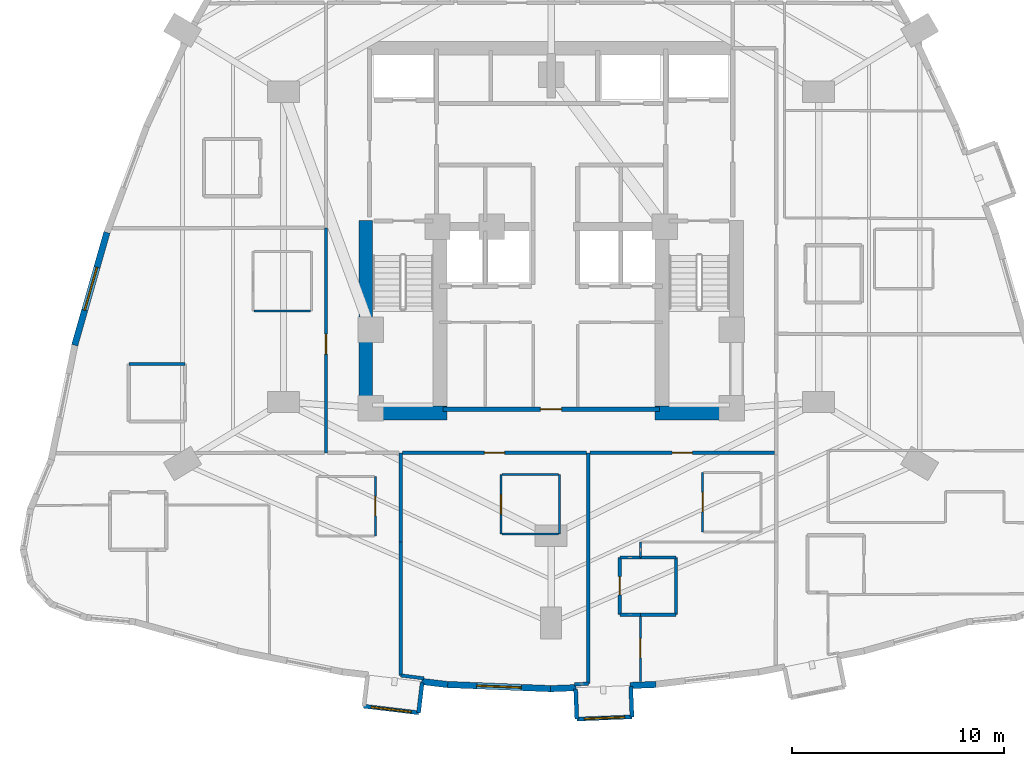
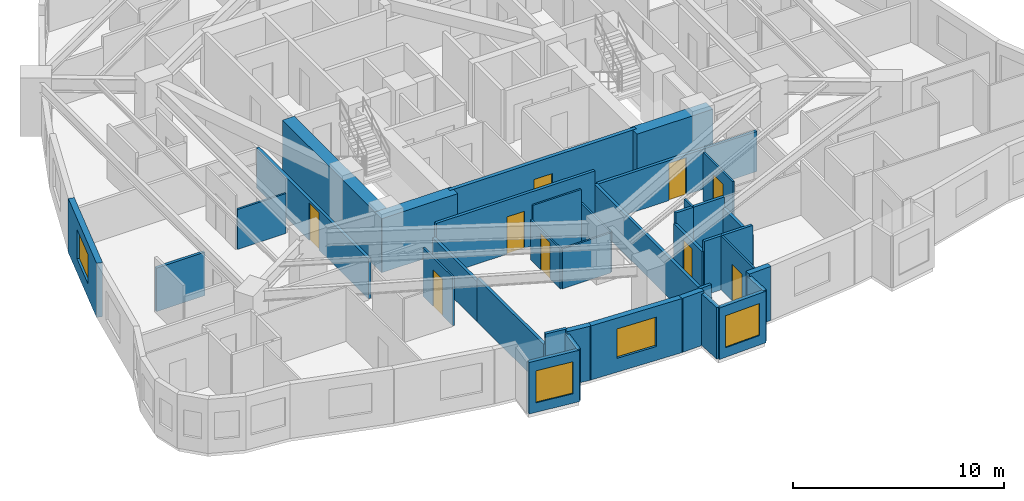
# One storey, part 9 of 16: 38 walls, 9 doors, 4 windows, 13 openings.
"""IFC4 building model written with IfcOpenShell, lengths in metres."""

from ifc_helpers import new_model, si_unit, direction, frame, frame_2d, origin, place, context, subcontext, project, spatial, rectangle, extrude, material, layer, layer_set, type_object, element, fill, save


model = new_model("IFC4")

# Units and contexts
model_context = context("Model", 3, precision=1e-05, world=origin(), true_north=direction((0.0, 1.0)))
body_context = subcontext(model_context, "Body", "Model", "MODEL_VIEW")
ifc_project = project(units=[si_unit("LENGTHUNIT", "METRE"), si_unit("AREAUNIT", "SQUARE_METRE"), si_unit("VOLUMEUNIT", "CUBIC_METRE"), si_unit("PLANEANGLEUNIT", "RADIAN"), si_unit("MASSUNIT", "GRAM", prefix="KILO")], contexts=[model_context])

# Site, building, storey
site_placement = place(None, origin())
site = spatial("IfcSite", under=ifc_project, at=site_placement, CompositionType="ELEMENT")
building_placement = place(site_placement, origin())
building = spatial("IfcBuilding", under=site, at=building_placement, Name="Miruveldt Soraemaru", CompositionType="ELEMENT")
storey_placement = place(building_placement, frame((0.0, 0.0, 42.800048828125)))
storey = spatial("IfcBuildingStorey", under=building, at=storey_placement, Name="L11", CompositionType="ELEMENT", Elevation=42.800048828125)

# Wall
ifc_material_1 = material(Name="White powder-coated aluminium EN AW-6060 T6", Category="aluminium")
ifc_layer_1 = layer(ifc_material_1, 0.18994140625, Name="White powder-coated aluminium EN AW-6060 T6", Category="aluminium")
ifc_layer_set_1 = layer_set([ifc_layer_1], Name="White powder-coated aluminium EN AW-6060 T6")
wall_type_1 = type_object("IfcWallType", Name="WALL-BAY-ALU190", PredefinedType="SOLIDWALL", material=ifc_layer_set_1)
wall_1_placement = place(storey_placement, frame((37.7587890625, 21.15869140625, 0.0), z_axis=(0.0, 0.0, 1.0), x_axis=(0.119226278009, 0.992867108244, 0.0)))
element("IfcWall", 1, at=wall_1_placement, inside=storey, type_object=wall_type_1, Name="L11 Bay Window Side Cheek 1R", PredefinedType="SOLIDWALL", context=body_context, shape_type="SweptSolid", body=[
    extrude(rectangle(XDim=1.42529296875, YDim=0.18994140625, at=frame_2d((0.712646484375, 0.0))), origin(), (0.0, 0.0, 1.0), 2.974853515625),
])

# Wall, opening, window
wall_2_placement = place(storey_placement, frame((35.177490234375, 21.46875, 0.0), z_axis=(0.0, 0.0, 1.0), x_axis=(0.992863057067, -0.119260009692, 0.0)))
wall_2 = element("IfcWall", 2, at=wall_2_placement, inside=storey, type_object=wall_type_1, Name="L11 Bay Window Front Frame 1", PredefinedType="SOLIDWALL", context=body_context, shape_type="SweptSolid", body=[
    extrude(rectangle(XDim=2.599853515625, YDim=0.18994140625, at=frame_2d((1.2998046875, 0.0))), origin(), (0.0, 0.0, 1.0), 2.974853515625),
])
opening_1_placement = place(wall_2_placement, frame((0.35009765625, 0.0, 0.550048828125)))
opening_1 = element("IfcOpeningElement", 3, at=opening_1_placement, cuts=wall_2, Name="Opening WN-6", PredefinedType="OPENING", context=body_context, shape_type="SweptSolid", body=[
    extrude(rectangle(XDim=1.89990234375, YDim=1.85009765625, at=frame_2d((0.949951171875, 0.925048828125))), frame((0.0, 0.10498046875, 0.0), z_axis=(0.0, -1.0, 0.0), x_axis=(1.0, 0.0, 0.0)), (0.0, 0.0, 1.0), 0.2099609375),
])
ifc_material_2 = material(Name="Triple low-e insulated glazing", Category="glass")
window_type_1 = type_object("IfcWindowType", Name="WIN-BAYW-1900x1850", PartitioningType="SINGLE_PANEL", PredefinedType="WINDOW", material=ifc_material_2)
window_1_placement = place(opening_1_placement, origin())
window_1 = element("IfcWindow", 4, at=window_1_placement, inside=storey, type_object=window_type_1, Name="L11 Projecting Bay Window 1", OverallHeight=1.85009765625, OverallWidth=1.89990234375, PartitioningType="SINGLE_PANEL", PredefinedType="WINDOW", context=body_context, shape_type="SweptSolid", body=[
    extrude(rectangle(XDim=1.89990234375, YDim=1.85009765625, at=frame_2d((0.949951171875, 0.925048828125))), frame((0.0, 0.030029296875, 0.0), z_axis=(0.0, -1.0, 0.0), x_axis=(1.0, 0.0, 0.0)), (0.0, 0.0, 1.0), 0.06005859375),
])
fill(opening_1, window_1)

# Walls
for number, where, z_axis, x_axis, name in (
    (5, (45.155029296875, 22.283935546875, 0.0), (0.0, 0.0, 1.0), (0.039920142234, -0.999202873417, 0.0), "L11 Bay Window Side Cheek 2L"),
    (6, (47.809814453125, 20.964111328125, 0.0), (0.0, 0.0, 1.0), (-0.039920142234, 0.999202873417, 0.0), "L11 Bay Window Side Cheek 2R"),
):
    element("IfcWall", number, at=place(storey_placement, frame(where, z_axis=z_axis, x_axis=x_axis)), inside=storey, type_object=wall_type_1, Name=name, PredefinedType="SOLIDWALL", context=body_context, shape_type="SweptSolid", body=[
        extrude(rectangle(XDim=1.425048828125, YDim=0.18994140625, at=frame_2d((0.71240234375, 0.0))), origin(), (0.0, 0.0, 1.0), 2.974853515625),
    ])

# Wall, opening, window
wall_3_placement = place(storey_placement, frame((45.2119140625, 20.860107421875, 0.0), z_axis=(0.0, 0.0, 1.0), x_axis=(0.999199608139, 0.040001788654, 0.0)))
wall_3 = element("IfcWall", 7, at=wall_3_placement, inside=storey, type_object=wall_type_1, Name="L11 Bay Window Front Frame 2", PredefinedType="SOLIDWALL", context=body_context, shape_type="SweptSolid", body=[
    extrude(rectangle(XDim=2.60009765625, YDim=0.18994140625, at=frame_2d((1.300048828125, 0.0))), origin(), (0.0, 0.0, 1.0), 2.974853515625),
])
opening_2_placement = place(wall_3_placement, frame((0.35009765625, 0.0, 0.550048828125)))
opening_2 = element("IfcOpeningElement", 8, at=opening_2_placement, cuts=wall_3, Name="Opening WN-6", PredefinedType="OPENING", context=body_context, shape_type="SweptSolid", body=[
    extrude(rectangle(XDim=1.89990234375, YDim=1.85009765625, at=frame_2d((0.949951171875, 0.925048828125))), frame((0.0, 0.10498046875, 0.0), z_axis=(0.0, -1.0, 0.0), x_axis=(1.0, 0.0, 0.0)), (0.0, 0.0, 1.0), 0.2099609375),
])
window_2_placement = place(opening_2_placement, origin())
window_2 = element("IfcWindow", 9, at=window_2_placement, inside=storey, type_object=window_type_1, Name="L11 Projecting Bay Window 2", OverallHeight=1.85009765625, OverallWidth=1.89990234375, PartitioningType="SINGLE_PANEL", PredefinedType="WINDOW", context=body_context, shape_type="SweptSolid", body=[
    extrude(rectangle(XDim=1.89990234375, YDim=1.85009765625, at=frame_2d((0.949951171875, 0.925048828125))), frame((0.0, 0.030029296875, 0.0), z_axis=(0.0, -1.0, 0.0), x_axis=(1.0, 0.0, 0.0)), (0.0, 0.0, 1.0), 0.06005859375),
])
fill(opening_2, window_2)

# Walls
ifc_material_3 = material(Name="Concrete C80/95 (80 MPa)", Category="concrete")
ifc_layer_2 = layer(ifc_material_3, 0.64990234375, Name="Concrete C80/95 (80 MPa)", Category="concrete")
ifc_layer_set_2 = layer_set([ifc_layer_2], Name="Concrete C80/95 (80 MPa)")
wall_type_2 = type_object("IfcWallType", Name="WALL-CW-650", PredefinedType="SHEAR", material=ifc_layer_set_2)
for number, where, z_axis, x_axis, name in (
    (10, (34.949951171875, 35.27490234375, 0.0), (0.0, 0.0, 1.0), (1.0, 0.0, 0.0), "L11 Central Core Shear Wall S1"),
    (11, (48.89990234375, 35.27490234375, 0.0), (0.0, 0.0, 1.0), (1.0, 0.0, 0.0), "L11 Central Core Shear Wall S2"),
):
    element("IfcWall", number, at=place(storey_placement, frame(where, z_axis=z_axis, x_axis=x_axis)), inside=storey, type_object=wall_type_2, Name=name, PredefinedType="SHEAR", context=body_context, shape_type="SweptSolid", body=[
        extrude(rectangle(XDim=4.150146484375, YDim=0.64990234375, at=frame_2d((2.0751953125, 0.0))), origin(), (0.0, 0.0, 1.0), 3.125),
    ])
wall_4_placement = place(storey_placement, frame((35.27490234375, 34.949951171875, 0.0), z_axis=(0.0, 0.0, 1.0), x_axis=(0.0, 1.0, 0.0)))
element("IfcWall", 12, at=wall_4_placement, inside=storey, type_object=wall_type_2, Name="L11 Central Core Shear Wall W1", PredefinedType="SHEAR", context=body_context, shape_type="SweptSolid", body=[
    extrude(rectangle(XDim=9.400146484375, YDim=0.64990234375, at=frame_2d((4.7001953125, 0.0))), origin(), (0.0, 0.0, 1.0), 3.125),
])

# Wall, opening, window
ifc_material_4 = material(Name="Precast concrete C45/55 (45 MPa)", Category="concrete")
ifc_layer_3 = layer(ifc_material_4, 0.300048828125, Name="Precast concrete C45/55 (45 MPa)", Category="concrete")
ifc_layer_set_3 = layer_set([ifc_layer_3], Name="Precast concrete C45/55 (45 MPa)")
wall_type_3 = type_object("IfcWallType", Name="WALL-EXT-PC300", PredefinedType="SOLIDWALL", material=ifc_layer_set_3)
wall_5_placement = place(storey_placement, frame((23.08349609375, 43.782470703125, 0.0), z_axis=(0.0, 0.0, 1.0), x_axis=(-0.274971983341, -0.96145223926, 0.0)))
wall_5 = element("IfcWall", 13, at=wall_5_placement, inside=storey, type_object=wall_type_3, Name="L11 Precast Concrete Facade Wall 13", PredefinedType="SOLIDWALL", context=body_context, shape_type="SweptSolid", body=[
    extrude(rectangle(XDim=5.527099609375, YDim=0.300048828125, at=frame_2d((2.763671875, 0.0))), origin(), (0.0, 0.0, 1.0), 3.125),
])
opening_3_placement = place(wall_5_placement, frame((1.714111328125, 0.0, 0.800048828125)))
opening_3 = element("IfcOpeningElement", 14, at=opening_3_placement, cuts=wall_5, Name="Opening WN-1", PredefinedType="OPENING", context=body_context, shape_type="SweptSolid", body=[
    extrude(rectangle(XDim=2.10009765625, YDim=1.699951171875, at=frame_2d((1.050048828125, 0.85009765625))), frame((0.0, 0.16015625, 0.0), z_axis=(0.0, -1.0, 0.0), x_axis=(1.0, 0.0, 0.0)), (0.0, 0.0, 1.0), 0.320068359375),
])
window_type_2 = type_object("IfcWindowType", Name="WIN-PUNCH-2100x1700", PartitioningType="SINGLE_PANEL", PredefinedType="WINDOW", material=ifc_material_2)
window_3_placement = place(opening_3_placement, origin())
window_3 = element("IfcWindow", 15, at=window_3_placement, inside=storey, type_object=window_type_2, Name="L11 Punched Triple-Glazed Window 13.1", OverallHeight=1.699951171875, OverallWidth=2.10009765625, PartitioningType="SINGLE_PANEL", PredefinedType="WINDOW", context=body_context, shape_type="SweptSolid", body=[
    extrude(rectangle(XDim=2.10009765625, YDim=1.699951171875, at=frame_2d((1.050048828125, 0.85009765625))), frame((0.0, 0.030029296875, 0.0), z_axis=(0.0, -1.0, 0.0), x_axis=(1.0, 0.0, 0.0)), (0.0, 0.0, 1.0), 0.06005859375),
])
fill(opening_3, window_3)

# Wall
wall_6_placement = place(storey_placement, frame((37.905517578125, 22.6318359375, 0.0), z_axis=(0.0, 0.0, 1.0), x_axis=(0.992886194387, -0.119067228889, 0.0)))
element("IfcWall", 16, at=wall_6_placement, inside=storey, type_object=wall_type_3, Name="L11 Precast Pier Wall 23B", PredefinedType="SOLIDWALL", context=body_context, shape_type="SweptSolid", body=[
    extrude(rectangle(XDim=1.234375, YDim=0.300048828125, at=frame_2d((0.6171875, 0.0))), origin(), (0.0, 0.0, 1.0), 3.125),
])

# Wall, opening, window
wall_7_placement = place(storey_placement, frame((39.061279296875, 22.490478515625, 0.0), z_axis=(0.0, 0.0, 1.0), x_axis=(0.999200723651, -0.039973914676, 0.0)))
wall_7 = element("IfcWall", 17, at=wall_7_placement, inside=storey, type_object=wall_type_3, Name="L11 Precast Concrete Facade Wall 24", PredefinedType="SOLIDWALL", context=body_context, shape_type="SweptSolid", body=[
    extrude(rectangle(XDim=4.9775390625, YDim=0.300048828125, at=frame_2d((2.48876953125, 0.0))), origin(), (0.0, 0.0, 1.0), 3.125),
])
opening_4_placement = place(wall_7_placement, frame((1.43896484375, 0.0, 0.800048828125)))
opening_4 = element("IfcOpeningElement", 18, at=opening_4_placement, cuts=wall_7, Name="Opening WN-1", PredefinedType="OPENING", context=body_context, shape_type="SweptSolid", body=[
    extrude(rectangle(XDim=2.10009765625, YDim=1.699951171875, at=frame_2d((1.050048828125, 0.85009765625))), frame((0.0, 0.16015625, 0.0), z_axis=(0.0, -1.0, 0.0), x_axis=(1.0, 0.0, 0.0)), (0.0, 0.0, 1.0), 0.320068359375),
])
window_4_placement = place(opening_4_placement, origin())
window_4 = element("IfcWindow", 19, at=window_4_placement, inside=storey, type_object=window_type_2, Name="L11 Punched Triple-Glazed Window 24.1", OverallHeight=1.699951171875, OverallWidth=2.10009765625, PartitioningType="SINGLE_PANEL", PredefinedType="WINDOW", context=body_context, shape_type="SweptSolid", body=[
    extrude(rectangle(XDim=2.10009765625, YDim=1.699951171875, at=frame_2d((1.050048828125, 0.85009765625))), frame((0.0, 0.030029296875, 0.0), z_axis=(0.0, -1.0, 0.0), x_axis=(1.0, 0.0, 0.0)), (0.0, 0.0, 1.0), 0.06005859375),
])
fill(opening_4, window_4)

# Walls
wall_8_placement = place(storey_placement, frame((43.965087890625, 22.29150390625, 0.0), z_axis=(0.0, 0.0, 1.0), x_axis=(0.999205113347, 0.0398640372, 0.0)))
element("IfcWall", 20, at=wall_8_placement, inside=storey, type_object=wall_type_3, Name="L11 Precast Pier Wall 25A", PredefinedType="SOLIDWALL", context=body_context, shape_type="SweptSolid", body=[
    extrude(rectangle(XDim=1.21875, YDim=0.300048828125, at=frame_2d((0.609375, 0.0))), origin(), (0.0, 0.0, 1.0), 3.125),
])
wall_9_placement = place(storey_placement, frame((47.720703125, 22.441650390625, 0.0), z_axis=(0.0, 0.0, 1.0), x_axis=(0.999197435549, 0.040056020667, 0.0)))
element("IfcWall", 21, at=wall_9_placement, inside=storey, type_object=wall_type_3, Name="L11 Precast Pier Wall 25B", PredefinedType="SOLIDWALL", context=body_context, shape_type="SweptSolid", body=[
    extrude(rectangle(XDim=1.218994140625, YDim=0.300048828125, at=frame_2d((0.609375, 0.0))), origin(), (0.0, 0.0, 1.0), 3.125),
])

# Wall, opening, door
ifc_material_5 = material(Name="Gypsum plasterboard lining", Category="gypsum")
ifc_layer_4 = layer(ifc_material_5, 0.10009765625, Name="Gypsum plasterboard lining", Category="gypsum")
ifc_layer_set_4 = layer_set([ifc_layer_4], Name="Gypsum plasterboard lining")
wall_type_4 = type_object("IfcWallType", Name="WALL-INT-P100", PredefinedType="PARTITIONING", material=ifc_layer_set_4)
wall_10_placement = place(storey_placement, frame((48.202880859375, 22.6259765625, 0.0), z_axis=(0.0, 0.0, 1.0), x_axis=(0.001007907691, 0.999999492061, 0.0)))
wall_10 = element("IfcWall", 22, at=wall_10_placement, inside=storey, type_object=wall_type_4, Name="L11 Partition Wall 119", PredefinedType="PARTITIONING", context=body_context, shape_type="SweptSolid", body=[
    extrude(rectangle(XDim=3.14892578125, YDim=0.10009765625, at=frame_2d((1.574462890625, 0.0))), origin(), (0.0, 0.0, 1.0), 3.125),
])
opening_5_placement = place(wall_10_placement, frame((1.114990234375, 0.0, 0.0)))
opening_5 = element("IfcOpeningElement", 23, at=opening_5_placement, cuts=wall_10, Name="Opening D3A", PredefinedType="OPENING", context=body_context, shape_type="SweptSolid", body=[
    extrude(rectangle(XDim=0.919921875, YDim=2.10009765625, at=frame_2d((0.4599609375, 1.050048828125))), frame((0.0, 0.06005859375, 0.0), z_axis=(0.0, -1.0, 0.0), x_axis=(1.0, 0.0, 0.0)), (0.0, 0.0, 1.0), 0.1201171875),
])
ifc_material_6 = material(Name="Anodised aluminium EN AW-6063 T6", Category="aluminium")
door_type_1 = type_object("IfcDoorType", Name="DOOR-INT-920", OperationType="NOTDEFINED", PredefinedType="DOOR", material=ifc_material_6)
door_1_placement = place(opening_5_placement, origin())
door_1 = element("IfcDoor", 24, at=door_1_placement, inside=storey, type_object=door_type_1, Name="L11 Unit 1110 BD1 Door", OperationType="SINGLE_SWING_LEFT", OverallHeight=2.10009765625, OverallWidth=0.919921875, PredefinedType="DOOR", context=body_context, shape_type="SweptSolid", body=[
    extrude(rectangle(XDim=0.919921875, YDim=2.10009765625, at=frame_2d((0.4599609375, 1.050048828125))), frame((0.0, 0.02490234375, 0.0), z_axis=(0.0, -1.0, 0.0), x_axis=(1.0, 0.0, 0.0)), (0.0, 0.0, 1.0), 0.050048828125),
])
fill(opening_5, door_1)

wall_11_placement = place(storey_placement, frame((35.721923828125, 29.489990234375, 0.0), z_axis=(0.0, 0.0, 1.0), x_axis=(0.0, 1.0, 0.0)))
wall_11 = element("IfcWall", 25, at=wall_11_placement, inside=storey, type_object=wall_type_4, Name="L11 Partition Wall 93", PredefinedType="PARTITIONING", context=body_context, shape_type="SweptSolid", body=[
    extrude(rectangle(XDim=2.800048828125, YDim=0.10009765625, at=frame_2d((1.39990234375, 0.0))), origin(), (0.0, 0.0, 1.0), 2.81298828125),
])
opening_6_placement = place(wall_11_placement, frame((0.93994140625, 0.0, 0.0)))
opening_6 = element("IfcOpeningElement", 26, at=opening_6_placement, cuts=wall_11, Name="Opening D3A", PredefinedType="OPENING", context=body_context, shape_type="SweptSolid", body=[
    extrude(rectangle(XDim=0.919921875, YDim=2.10009765625, at=frame_2d((0.4599609375, 1.050048828125))), frame((0.0, 0.06005859375, 0.0), z_axis=(0.0, -1.0, 0.0), x_axis=(1.0, 0.0, 0.0)), (0.0, 0.0, 1.0), 0.1201171875),
])
door_2_placement = place(opening_6_placement, origin())
door_2 = element("IfcDoor", 27, at=door_2_placement, inside=storey, type_object=door_type_1, Name="L11 Unit 1108 KIT Door", OperationType="SINGLE_SWING_LEFT", OverallHeight=2.10009765625, OverallWidth=0.919921875, PredefinedType="DOOR", context=body_context, shape_type="SweptSolid", body=[
    extrude(rectangle(XDim=0.919921875, YDim=2.10009765625, at=frame_2d((0.4599609375, 1.050048828125))), frame((0.0, 0.02490234375, 0.0), z_axis=(0.0, -1.0, 0.0), x_axis=(1.0, 0.0, 0.0)), (0.0, 0.0, 1.0), 0.050048828125),
])
fill(opening_6, door_2)

wall_12_placement = place(storey_placement, frame((41.64208984375, 32.375, 0.0), z_axis=(0.0, 0.0, 1.0), x_axis=(0.0, -1.0, 0.0)))
wall_12 = element("IfcWall", 28, at=wall_12_placement, inside=storey, type_object=wall_type_4, Name="L11 Partition Wall 109", PredefinedType="PARTITIONING", context=body_context, shape_type="SweptSolid", body=[
    extrude(rectangle(XDim=2.800048828125, YDim=0.10009765625, at=frame_2d((1.39990234375, 0.0))), origin(), (0.0, 0.0, 1.0), 2.31298828125),
])
opening_7_placement = place(wall_12_placement, frame((0.93994140625, 0.0, 0.0)))
opening_7 = element("IfcOpeningElement", 29, at=opening_7_placement, cuts=wall_12, Name="Opening D3A", PredefinedType="OPENING", context=body_context, shape_type="SweptSolid", body=[
    extrude(rectangle(XDim=0.919921875, YDim=2.10009765625, at=frame_2d((0.4599609375, 1.050048828125))), frame((0.0, 0.06005859375, 0.0), z_axis=(0.0, -1.0, 0.0), x_axis=(1.0, 0.0, 0.0)), (0.0, 0.0, 1.0), 0.1201171875),
])
door_3_placement = place(opening_7_placement, origin())
door_3 = element("IfcDoor", 30, at=door_3_placement, inside=storey, type_object=door_type_1, Name="L11 Unit 1109 KIT Door", OperationType="SINGLE_SWING_LEFT", OverallHeight=2.10009765625, OverallWidth=0.919921875, PredefinedType="DOOR", context=body_context, shape_type="SweptSolid", body=[
    extrude(rectangle(XDim=0.919921875, YDim=2.10009765625, at=frame_2d((0.4599609375, 1.050048828125))), frame((0.0, 0.02490234375, 0.0), z_axis=(0.0, -1.0, 0.0), x_axis=(1.0, 0.0, 0.0)), (0.0, 0.0, 1.0), 0.050048828125),
])
fill(opening_7, door_3)

wall_13_placement = place(storey_placement, frame((51.135986328125, 32.47509765625, 0.0), z_axis=(0.0, 0.0, 1.0), x_axis=(0.0, -1.0, 0.0)))
wall_13 = element("IfcWall", 31, at=wall_13_placement, inside=storey, type_object=wall_type_4, Name="L11 Partition Wall 117", PredefinedType="PARTITIONING", context=body_context, shape_type="SweptSolid", body=[
    extrude(rectangle(XDim=2.800048828125, YDim=0.10009765625, at=frame_2d((1.39990234375, 0.0))), origin(), (0.0, 0.0, 1.0), 2.81298828125),
])
opening_8_placement = place(wall_13_placement, frame((0.93994140625, 0.0, 0.0)))
opening_8 = element("IfcOpeningElement", 32, at=opening_8_placement, cuts=wall_13, Name="Opening D3A", PredefinedType="OPENING", context=body_context, shape_type="SweptSolid", body=[
    extrude(rectangle(XDim=0.919921875, YDim=2.10009765625, at=frame_2d((0.4599609375, 1.050048828125))), frame((0.0, 0.06005859375, 0.0), z_axis=(0.0, -1.0, 0.0), x_axis=(1.0, 0.0, 0.0)), (0.0, 0.0, 1.0), 0.1201171875),
])
door_4_placement = place(opening_8_placement, origin())
door_4 = element("IfcDoor", 33, at=door_4_placement, inside=storey, type_object=door_type_1, Name="L11 Unit 1110 KIT Door", OperationType="SINGLE_SWING_RIGHT", OverallHeight=2.10009765625, OverallWidth=0.919921875, PredefinedType="DOOR", context=body_context, shape_type="SweptSolid", body=[
    extrude(rectangle(XDim=0.919921875, YDim=2.10009765625, at=frame_2d((0.4599609375, 1.050048828125))), frame((0.0, 0.02490234375, 0.0), z_axis=(0.0, -1.0, 0.0), x_axis=(1.0, 0.0, 0.0)), (0.0, 0.0, 1.0), 0.050048828125),
])
fill(opening_8, door_4)

# Walls
wall_14_placement = place(storey_placement, frame((44.39208984375, 29.574951171875, 0.0), z_axis=(0.0, 0.0, 1.0), x_axis=(0.0, 1.0, 0.0)))
element("IfcWall", 34, at=wall_14_placement, inside=storey, type_object=wall_type_4, Name="L11 Partition Wall 107", PredefinedType="PARTITIONING", context=body_context, shape_type="SweptSolid", body=[
    extrude(rectangle(XDim=2.800048828125, YDim=0.10009765625, at=frame_2d((1.39990234375, 0.0))), origin(), (0.0, 0.0, 1.0), 2.31298828125),
])
wall_15_placement = place(storey_placement, frame((44.342041015625, 32.375, 0.0), z_axis=(0.0, 0.0, 1.0), x_axis=(-1.0, 0.0, 0.0)))
element("IfcWall", 35, at=wall_15_placement, inside=storey, type_object=wall_type_4, Name="L11 Partition Wall 108", PredefinedType="PARTITIONING", context=body_context, shape_type="SweptSolid", body=[
    extrude(rectangle(XDim=2.650146484375, YDim=0.10009765625, at=frame_2d((1.3251953125, 0.0))), origin(), (0.0, 0.0, 1.0), 3.125),
])
for number, where, z_axis, x_axis, name in (
    (36, (41.69189453125, 29.574951171875, 0.0), (0.0, 0.0, 1.0), (1.0, 0.0, 0.0), "L11 Partition Wall 110"),
    (37, (30.012939453125, 40.080078125, 0.0), (0.0, 0.0, 1.0), (1.0, 0.0, 0.0), "L11 Partition Wall 59"),
):
    element("IfcWall", number, at=place(storey_placement, frame(where, z_axis=z_axis, x_axis=x_axis)), inside=storey, type_object=wall_type_4, Name=name, PredefinedType="PARTITIONING", context=body_context, shape_type="SweptSolid", body=[
        extrude(rectangle(XDim=2.650146484375, YDim=0.10009765625, at=frame_2d((1.3251953125, 0.0))), origin(), (0.0, 0.0, 1.0), 2.31298828125),
    ])
wall_16_placement = place(storey_placement, frame((48.2060546875, 28.47509765625, 0.0), z_axis=(0.0, 0.0, 1.0), x_axis=(0.0, 1.0, 0.0)))
element("IfcWall", 38, at=wall_16_placement, inside=storey, type_object=wall_type_4, Name="L11 Partition Wall 120", PredefinedType="PARTITIONING", context=body_context, shape_type="SweptSolid", body=[
    extrude(rectangle(XDim=0.724853515625, YDim=0.10009765625, at=frame_2d((0.3623046875, 0.0))), origin(), (0.0, 0.0, 1.0), 3.125),
])

# Wall, opening, door
ifc_layer_5 = layer(ifc_material_5, 0.14990234375, Name="Gypsum plasterboard lining", Category="gypsum")
ifc_layer_set_5 = layer_set([ifc_layer_5], Name="Gypsum plasterboard lining")
wall_type_5 = type_object("IfcWallType", Name="WALL-INT-PLUMB", PredefinedType="PLUMBINGWALL", material=ifc_layer_set_5)
wall_17_placement = place(storey_placement, frame((47.236083984375, 28.47509765625, 0.0), z_axis=(0.0, 0.0, 1.0), x_axis=(0.0, -1.0, 0.0)))
wall_17 = element("IfcWall", 39, at=wall_17_placement, inside=storey, type_object=wall_type_5, Name="L11 Partition Wall 113", PredefinedType="PLUMBINGWALL", context=body_context, shape_type="SweptSolid", body=[
    extrude(rectangle(XDim=2.7001953125, YDim=0.14990234375, at=frame_2d((1.35009765625, 0.0))), origin(), (0.0, 0.0, 1.0), 2.512939453125),
])
opening_9_placement = place(wall_17_placement, frame((0.909912109375, 0.0, 0.0)))
opening_9 = element("IfcOpeningElement", 40, at=opening_9_placement, cuts=wall_17, Name="Opening FD3", PredefinedType="OPENING", context=body_context, shape_type="SweptSolid", body=[
    extrude(rectangle(XDim=0.85009765625, YDim=2.10009765625, at=frame_2d((0.425048828125, 1.050048828125))), frame((0.0, 0.0849609375, 0.0), z_axis=(0.0, -1.0, 0.0), x_axis=(1.0, 0.0, 0.0)), (0.0, 0.0, 1.0), 0.169921875),
])
door_type_2 = type_object("IfcDoorType", Name="DOOR-FD3-850", OperationType="NOTDEFINED", PredefinedType="DOOR", material=ifc_material_6)
door_5_placement = place(opening_9_placement, origin())
door_5 = element("IfcDoor", 41, at=door_5_placement, inside=storey, type_object=door_type_2, Name="L11 Unit 1110 BTH Door", OperationType="SINGLE_SWING_LEFT", OverallHeight=2.10009765625, OverallWidth=0.85009765625, PredefinedType="DOOR", context=body_context, shape_type="SweptSolid", body=[
    extrude(rectangle(XDim=0.85009765625, YDim=2.10009765625, at=frame_2d((0.425048828125, 1.050048828125))), frame((0.0, 0.02490234375, 0.0), z_axis=(0.0, -1.0, 0.0), x_axis=(1.0, 0.0, 0.0)), (0.0, 0.0, 1.0), 0.050048828125),
])
fill(opening_9, door_5)

# Walls
wall_18_placement = place(storey_placement, frame((49.885986328125, 25.77490234375, 0.0), z_axis=(0.0, 0.0, 1.0), x_axis=(0.0, 1.0, 0.0)))
element("IfcWall", 42, at=wall_18_placement, inside=storey, type_object=wall_type_5, Name="L11 Partition Wall 123", PredefinedType="PLUMBINGWALL", context=body_context, shape_type="SweptSolid", body=[
    extrude(rectangle(XDim=2.7001953125, YDim=0.14990234375, at=frame_2d((1.35009765625, 0.0))), origin(), (0.0, 0.0, 1.0), 2.512939453125),
])
wall_19_placement = place(storey_placement, frame((26.762939453125, 37.580078125, 0.0), z_axis=(0.0, 0.0, 1.0), x_axis=(-1.0, 0.0, 0.0)))
element("IfcWall", 43, at=wall_19_placement, inside=storey, type_object=wall_type_5, Name="L11 Partition Wall 53", PredefinedType="PLUMBINGWALL", context=body_context, shape_type="SweptSolid", body=[
    extrude(rectangle(XDim=2.64990234375, YDim=0.14990234375, at=frame_2d((1.324951171875, 0.0))), origin(), (0.0, 0.0, 1.0), 2.512939453125),
])
for number, where, z_axis, x_axis, name in (
    (44, (48.2060546875, 25.77490234375, 0.0), (0.0, 0.0, 1.0), (1.0, 0.0, 0.0), "L11 Partition Wall 122"),
    (45, (49.885986328125, 28.47509765625, 0.0), (0.0, 0.0, 1.0), (-1.0, 0.0, 0.0), "L11 Partition Wall 124"),
):
    element("IfcWall", number, at=place(storey_placement, frame(where, z_axis=z_axis, x_axis=x_axis)), inside=storey, type_object=wall_type_5, Name=name, PredefinedType="PLUMBINGWALL", context=body_context, shape_type="SweptSolid", body=[
        extrude(rectangle(XDim=1.679931640625, YDim=0.14990234375, at=frame_2d((0.83984375, 0.0))), origin(), (0.0, 0.0, 1.0), 3.125),
    ])
for number, where, z_axis, x_axis, name in (
    (46, (48.2060546875, 28.47509765625, 0.0), (0.0, 0.0, 1.0), (-1.0, 0.0, 0.0), "L11 Partition Wall 112"),
    (47, (47.236083984375, 25.77490234375, 0.0), (0.0, 0.0, 1.0), (1.0, 0.0, 0.0), "L11 Partition Wall 114"),
):
    element("IfcWall", number, at=place(storey_placement, frame(where, z_axis=z_axis, x_axis=x_axis)), inside=storey, type_object=wall_type_5, Name=name, PredefinedType="PLUMBINGWALL", context=body_context, shape_type="SweptSolid", body=[
        extrude(rectangle(XDim=0.969970703125, YDim=0.14990234375, at=frame_2d((0.48486328125, 0.0))), origin(), (0.0, 0.0, 1.0), 3.125),
    ])

# Wall, opening, door
ifc_material_7 = material(Name="Concrete C40/50 (40 MPa)", Category="concrete")
ifc_layer_6 = layer(ifc_material_7, 0.159912109375, Name="Concrete C40/50 (40 MPa)", Category="concrete")
ifc_layer_set_6 = layer_set([ifc_layer_6], Name="Concrete C40/50 (40 MPa)")
wall_type_6 = type_object("IfcWallType", Name="WALL-INT-RC160", PredefinedType="SOLIDWALL", material=ifc_layer_set_6)
wall_20_placement = place(storey_placement, frame((33.39990234375, 44.0, 0.0), z_axis=(0.0, 0.0, 1.0), x_axis=(0.0, -1.0, 0.0)))
wall_20 = element("IfcWall", 48, at=wall_20_placement, inside=storey, type_object=wall_type_6, Name="L11 Partition Wall 4", PredefinedType="SOLIDWALL", context=body_context, shape_type="SweptSolid", body=[
    extrude(rectangle(XDim=10.60009765625, YDim=0.159912109375, at=frame_2d((5.300048828125, 0.0))), origin(), (0.0, 0.0, 1.0), 2.31298828125),
])
opening_10_placement = place(wall_20_placement, frame((5.0048828125, 0.0, 0.0)))
opening_10 = element("IfcOpeningElement", 49, at=opening_10_placement, cuts=wall_20, Name="Opening FD2", PredefinedType="OPENING", context=body_context, shape_type="SweptSolid", body=[
    extrude(rectangle(XDim=0.949951171875, YDim=2.14990234375, at=frame_2d((0.47509765625, 1.074951171875))), frame((0.0, 0.08984375, 0.0), z_axis=(0.0, -1.0, 0.0), x_axis=(1.0, 0.0, 0.0)), (0.0, 0.0, 1.0), 0.179931640625),
])
door_type_3 = type_object("IfcDoorType", Name="DOOR-FD2-950", OperationType="NOTDEFINED", PredefinedType="DOOR", material=ifc_material_6)
door_6_placement = place(opening_10_placement, origin())
door_6 = element("IfcDoor", 50, at=door_6_placement, inside=storey, type_object=door_type_3, Name="L11 Unit CL04 Entrance Fire Door", OperationType="SINGLE_SWING_LEFT", OverallHeight=2.14990234375, OverallWidth=0.949951171875, PredefinedType="DOOR", context=body_context, shape_type="SweptSolid", body=[
    extrude(rectangle(XDim=0.949951171875, YDim=2.14990234375, at=frame_2d((0.47509765625, 1.074951171875))), frame((0.0, 0.02490234375, 0.0), z_axis=(0.0, -1.0, 0.0), x_axis=(1.0, 0.0, 0.0)), (0.0, 0.0, 1.0), 0.050048828125),
])
fill(opening_10, door_6)

wall_21_placement = place(storey_placement, frame((45.8359375, 33.39990234375, 0.0), z_axis=(0.0, 0.0, 1.0), x_axis=(1.0, 0.0, 0.0)))
wall_21 = element("IfcWall", 51, at=wall_21_placement, inside=storey, type_object=wall_type_6, Name="L11 Partition Wall 12", PredefinedType="SOLIDWALL", context=body_context, shape_type="SweptSolid", body=[
    extrude(rectangle(XDim=8.68408203125, YDim=0.159912109375, at=frame_2d((4.342041015625, 0.0))), origin(), (0.0, 0.0, 1.0), 2.31298828125),
])
opening_11_placement = place(wall_21_placement, frame((3.866943359375, 0.0, 0.0)))
opening_11 = element("IfcOpeningElement", 52, at=opening_11_placement, cuts=wall_21, Name="Opening FD2", PredefinedType="OPENING", context=body_context, shape_type="SweptSolid", body=[
    extrude(rectangle(XDim=0.949951171875, YDim=2.14990234375, at=frame_2d((0.47509765625, 1.074951171875))), frame((0.0, 0.08984375, 0.0), z_axis=(0.0, -1.0, 0.0), x_axis=(1.0, 0.0, 0.0)), (0.0, 0.0, 1.0), 0.179931640625),
])
door_7_placement = place(opening_11_placement, origin())
door_7 = element("IfcDoor", 53, at=door_7_placement, inside=storey, type_object=door_type_3, Name="L11 Unit 1110 Entrance Fire Door", OperationType="SINGLE_SWING_RIGHT", OverallHeight=2.14990234375, OverallWidth=0.949951171875, PredefinedType="DOOR", context=body_context, shape_type="SweptSolid", body=[
    extrude(rectangle(XDim=0.949951171875, YDim=2.14990234375, at=frame_2d((0.47509765625, 1.074951171875))), frame((0.0, 0.02490234375, 0.0), z_axis=(0.0, -1.0, 0.0), x_axis=(1.0, 0.0, 0.0)), (0.0, 0.0, 1.0), 0.050048828125),
])
fill(opening_11, door_7)

wall_22_placement = place(storey_placement, frame((36.99609375, 33.39990234375, 0.0), z_axis=(0.0, 0.0, 1.0), x_axis=(1.0, 0.0, 0.0)))
wall_22 = element("IfcWall", 54, at=wall_22_placement, inside=storey, type_object=wall_type_6, Name="L11 Partition Wall 11", PredefinedType="SOLIDWALL", context=body_context, shape_type="SweptSolid", body=[
    extrude(rectangle(XDim=8.676025390625, YDim=0.159912109375, at=frame_2d((4.337890625, 0.0))), origin(), (0.0, 0.0, 1.0), 3.125),
])
opening_12_placement = place(wall_22_placement, frame((3.863037109375, 0.0, 0.0)))
opening_12 = element("IfcOpeningElement", 55, at=opening_12_placement, cuts=wall_22, Name="Opening FD2", PredefinedType="OPENING", context=body_context, shape_type="SweptSolid", body=[
    extrude(rectangle(XDim=0.949951171875, YDim=2.14990234375, at=frame_2d((0.47509765625, 1.074951171875))), frame((0.0, 0.08984375, 0.0), z_axis=(0.0, -1.0, 0.0), x_axis=(1.0, 0.0, 0.0)), (0.0, 0.0, 1.0), 0.179931640625),
])
door_8_placement = place(opening_12_placement, origin())
door_8 = element("IfcDoor", 56, at=door_8_placement, inside=storey, type_object=door_type_3, Name="L11 Unit 1109 Entrance Fire Door", OperationType="SINGLE_SWING_RIGHT", OverallHeight=2.14990234375, OverallWidth=0.949951171875, PredefinedType="DOOR", context=body_context, shape_type="SweptSolid", body=[
    extrude(rectangle(XDim=0.949951171875, YDim=2.14990234375, at=frame_2d((0.47509765625, 1.074951171875))), frame((0.0, 0.02490234375, 0.0), z_axis=(0.0, -1.0, 0.0), x_axis=(1.0, 0.0, 0.0)), (0.0, 0.0, 1.0), 0.050048828125),
])
fill(opening_12, door_8)

# Walls
wall_23_placement = place(storey_placement, frame((45.7529296875, 22.528076171875, 0.0), z_axis=(0.0, 0.0, 1.0), x_axis=(0.000291931451, 0.999999957388, 0.0)))
element("IfcWall", 57, at=wall_23_placement, inside=storey, type_object=wall_type_6, Name="L11 Partition Wall 111", PredefinedType="SOLIDWALL", context=body_context, shape_type="SweptSolid", body=[
    extrude(rectangle(XDim=10.871826171875, YDim=0.159912109375, at=frame_2d((5.43603515625, 0.0))), origin(), (0.0, 0.0, 1.0), 2.31298828125),
])
wall_24_placement = place(storey_placement, frame((36.922119140625, 22.916015625, 0.0), z_axis=(0.0, 0.0, 1.0), x_axis=(-0.001592911457, 0.999998731316, 0.0)))
element("IfcWall", 58, at=wall_24_placement, inside=storey, type_object=wall_type_6, Name="L11 Partition Wall 101", PredefinedType="SOLIDWALL", context=body_context, shape_type="SweptSolid", body=[
    extrude(rectangle(XDim=6.283935546875, YDim=0.159912109375, at=frame_2d((3.14208984375, 0.0))), origin(), (0.0, 0.0, 1.0), 2.512939453125),
])
wall_25_placement = place(storey_placement, frame((36.912109375, 29.2041015625, 0.0), z_axis=(0.0, 0.0, 1.0), x_axis=(0.0, 1.0, 0.0)))
element("IfcWall", 59, at=wall_25_placement, inside=storey, type_object=wall_type_6, Name="L11 Partition Wall 100", PredefinedType="SOLIDWALL", context=body_context, shape_type="SweptSolid", body=[
    extrude(rectangle(XDim=4.19189453125, YDim=0.159912109375, at=frame_2d((2.095947265625, 0.0))), origin(), (0.0, 0.0, 1.0), 2.31298828125),
])
wall_26_placement = place(storey_placement, frame((36.922119140625, 22.916015625, 0.0), z_axis=(0.0, 0.0, 1.0), x_axis=(0.992108170574, -0.125384918872, 0.0)))
element("IfcWall", 60, at=wall_26_placement, inside=storey, type_object=wall_type_6, Name="L11 Partition Closure Return 2", PredefinedType="SOLIDWALL", context=body_context, shape_type="SweptSolid", body=[
    extrude(rectangle(XDim=1.09033203125, YDim=0.159912109375, at=frame_2d((0.545166015625, 0.0))), origin(), (0.0, 0.0, 1.0), 3.125),
])
wall_27_placement = place(storey_placement, frame((45.7529296875, 22.528076171875, 0.0), z_axis=(0.0, 0.0, 1.0), x_axis=(-0.998722513077, -0.05053060334, 0.0)))
element("IfcWall", 61, at=wall_27_placement, inside=storey, type_object=wall_type_6, Name="L11 Partition Closure Return 3", PredefinedType="SOLIDWALL", context=body_context, shape_type="SweptSolid", body=[
    extrude(rectangle(XDim=0.656982421875, YDim=0.159912109375, at=frame_2d((0.32861328125, 0.0))), origin(), (0.0, 0.0, 1.0), 3.125),
])

# Wall, opening, door
ifc_layer_7 = layer(ifc_material_7, 0.199951171875, Name="Concrete C40/50 (40 MPa)", Category="concrete")
ifc_layer_set_7 = layer_set([ifc_layer_7], Name="Concrete C40/50 (40 MPa)")
wall_type_7 = type_object("IfcWallType", Name="WALL-INT-RC200", PredefinedType="SOLIDWALL", material=ifc_layer_set_7)
wall_28_placement = place(storey_placement, frame((38.89990234375, 35.449951171875, 0.0), z_axis=(0.0, 0.0, 1.0), x_axis=(1.0, 0.0, 0.0)))
wall_28 = element("IfcWall", 62, at=wall_28_placement, inside=storey, type_object=wall_type_7, Name="L11 Core Compartment Wall CS-S", PredefinedType="SOLIDWALL", context=body_context, shape_type="SweptSolid", body=[
    extrude(rectangle(XDim=10.2001953125, YDim=0.199951171875, at=frame_2d((5.10009765625, 0.0))), origin(), (0.0, 0.0, 1.0), 3.125),
])
opening_13_placement = place(wall_28_placement, frame((4.60009765625, 0.0, 0.0)))
opening_13 = element("IfcOpeningElement", 63, at=opening_13_placement, cuts=wall_28, Name="Opening FD1", PredefinedType="OPENING", context=body_context, shape_type="SweptSolid", body=[
    extrude(rectangle(XDim=1.0, YDim=2.14990234375, at=frame_2d((0.5, 1.074951171875))), frame((0.0, 0.10986328125, 0.0), z_axis=(0.0, -1.0, 0.0), x_axis=(1.0, 0.0, 0.0)), (0.0, 0.0, 1.0), 0.219970703125),
])
door_type_4 = type_object("IfcDoorType", Name="DOOR-FD1-1000", OperationType="NOTDEFINED", PredefinedType="DOOR", material=ifc_material_6)
door_9_placement = place(opening_13_placement, origin())
door_9 = element("IfcDoor", 64, at=door_9_placement, inside=storey, type_object=door_type_4, Name="L11 Core South Lobby Fire Door", OperationType="SINGLE_SWING_LEFT", OverallHeight=2.14990234375, OverallWidth=1.0, PredefinedType="DOOR", context=body_context, shape_type="SweptSolid", body=[
    extrude(rectangle(XDim=1.0, YDim=2.14990234375, at=frame_2d((0.5, 1.074951171875))), frame((0.0, 0.02490234375, 0.0), z_axis=(0.0, -1.0, 0.0), x_axis=(1.0, 0.0, 0.0)), (0.0, 0.0, 1.0), 0.050048828125),
])
fill(opening_13, door_9)

save(model, "model.ifc")
